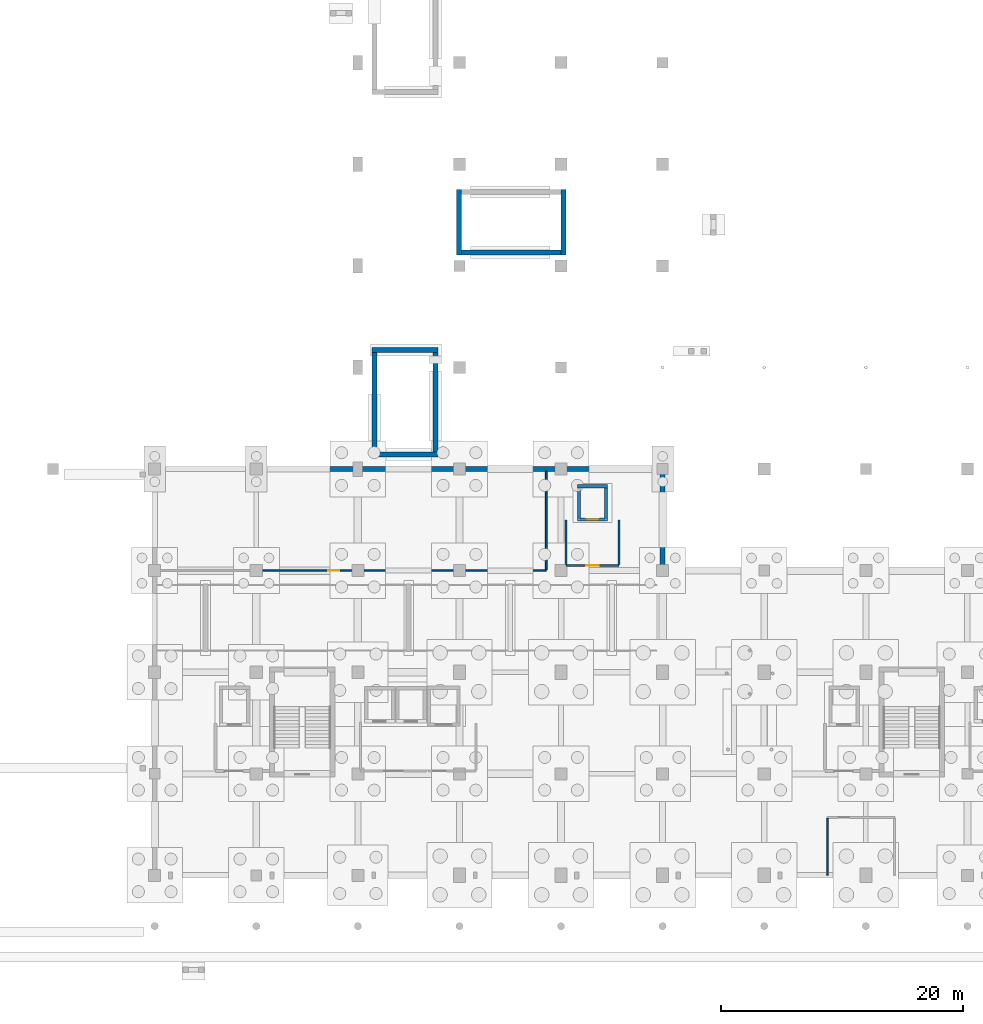
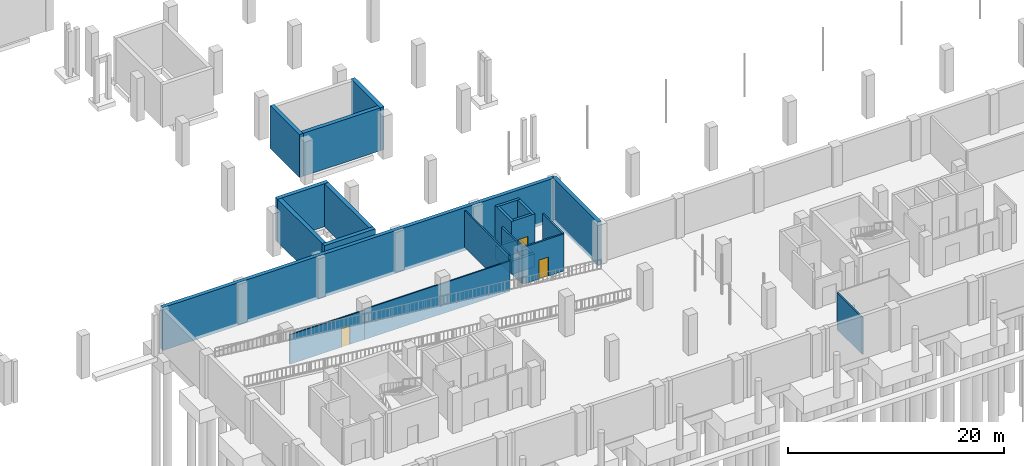
# One storey, part 30 of 39: 24 walls, 3 doors, 3 openings.
"""IFC4 building model written with IfcOpenShell, lengths in metres."""

from ifc_helpers import new_model, si_unit, derived_unit, direction, frame, frame_2d, origin, place, context, subcontext, project, spatial, rectangle, extrude, material, layer, layer_set, type_object, element, fill, save


model = new_model("IFC4")

# Units and contexts
model_context = context("Model", 3, precision=1e-05, world=origin(), true_north=direction((0.0, 1.0)))
body_context = subcontext(model_context, "Body", "Model", "MODEL_VIEW")
ifc_project = project(units=[si_unit("LENGTHUNIT", "METRE"), si_unit("AREAUNIT", "SQUARE_METRE"), si_unit("VOLUMEUNIT", "CUBIC_METRE"), si_unit("PLANEANGLEUNIT", "RADIAN"), si_unit("MASSUNIT", "GRAM", prefix="KILO"), derived_unit("THERMALTRANSMITTANCEUNIT", [(si_unit("POWERUNIT", "WATT"), 1), (si_unit("LENGTHUNIT", "METRE"), -2), (si_unit("THERMODYNAMICTEMPERATUREUNIT", "KELVIN"), -1)])], contexts=[model_context])

# Site, building, storey
site_placement = place(None, origin())
site = spatial("IfcSite", under=ifc_project, at=site_placement, CompositionType="ELEMENT")
building_placement = place(site_placement, origin())
building = spatial("IfcBuilding", under=site, at=building_placement, Name="Barrovel Congress Hotel", CompositionType="ELEMENT")
storey_placement = place(building_placement, frame((0.0, 0.0, -4.5)))
storey = spatial("IfcBuildingStorey", under=building, at=storey_placement, Name="B01", CompositionType="ELEMENT", Elevation=-4.5)

# Walls
ifc_material_1 = material(Name="Concrete C40", Category="concrete")
ifc_layer_1 = layer(ifc_material_1, 0.39990234375)
ifc_layer_set_1 = layer_set([ifc_layer_1], Name="Concrete C40")
wall_type_1 = type_object("IfcWallType", Name="EW-RET400", PredefinedType="STANDARD", material=ifc_layer_set_1)
wall_1_placement = place(storey_placement, frame((58.800048828125, 29.39990234375, -0.360107421875), z_axis=(0.0, 0.0, 1.0), x_axis=(0.0, 1.0, 0.0)))
element("IfcWall", 1, at=wall_1_placement, inside=storey, type_object=wall_type_1, Name="EW:B01:RET-06", PredefinedType="STANDARD", context=body_context, shape_type="SweptSolid", body=[
    extrude(rectangle(XDim=8.400146484375, YDim=0.39990234375, at=frame_2d((4.2001953125, 0.0))), origin(), (0.0, 0.0, 1.0), 4.860107421875),
])
wall_2_placement = place(storey_placement, frame((58.800048828125, 37.800048828125, -0.360107421875), z_axis=(0.0, 0.0, 1.0), x_axis=(-1.0, 0.0, 0.0)))
element("IfcWall", 2, at=wall_2_placement, inside=storey, type_object=wall_type_1, Name="EW:B01:RET-07", PredefinedType="STANDARD", context=body_context, shape_type="SweptSolid", body=[
    extrude(rectangle(XDim=42.0, YDim=0.39990234375, at=frame_2d((21.0, 0.0))), origin(), (0.0, 0.0, 1.0), 4.860107421875),
])

# Wall, opening, door
ifc_material_2 = material(Name="Gypsum Acoustic Stud", Category="gypsum")
ifc_layer_2 = layer(ifc_material_2, 0.179931640625)
ifc_layer_set_2 = layer_set([ifc_layer_2], Name="Gypsum Acoustic Stud")
wall_type_2 = type_object("IfcWallType", Name="PW-ACU-180", PredefinedType="PARTITIONING", material=ifc_layer_set_2)
wall_3_placement = place(storey_placement, frame((50.820068359375, 29.820068359375, 0.0), z_axis=(0.0, 0.0, 1.0), x_axis=(1.0, 0.0, 0.0)))
wall_3 = element("IfcWall", 3, at=wall_3_placement, inside=storey, type_object=wall_type_2, Name="RW:SP:B01:LL-CL1:S", PredefinedType="PARTITIONING", context=body_context, shape_type="SweptSolid", body=[
    extrude(rectangle(XDim=4.35986328125, YDim=0.179931640625, at=frame_2d((2.179931640625, 0.0))), origin(), (0.0, 0.0, 1.0), 4.175048828125),
])
opening_1_placement = place(wall_3_placement, frame((1.669921875, 0.0, 0.0)))
opening_1 = element("IfcOpeningElement", 4, at=opening_1_placement, cuts=wall_3, Name="Opening ID-ACC", PredefinedType="OPENING", context=body_context, shape_type="SweptSolid", body=[
    extrude(rectangle(XDim=1.02001953125, YDim=2.14990234375, at=frame_2d((0.510009765625, 1.074951171875))), frame((0.0, 0.10009765625, 0.0), z_axis=(0.0, -1.0, 0.0), x_axis=(1.0, 0.0, 0.0)), (0.0, 0.0, 1.0), 0.199951171875),
])
ifc_material_3 = material(Name="Solid Oak Acoustic Timber Door", Category="wood")
door_type_1 = type_object("IfcDoorType", Name="IDR-ID-ACC", OperationType="NOTDEFINED", PredefinedType="DOOR", material=ifc_material_3)
door_1_placement = place(opening_1_placement, origin())
door_1 = element("IfcDoor", 5, at=door_1_placement, inside=storey, type_object=door_type_1, Name="RD:SP:B01:LL-CL1", OperationType="SINGLE_SWING_RIGHT", OverallHeight=2.14990234375, OverallWidth=1.02001953125, PredefinedType="DOOR", context=body_context, shape_type="SweptSolid", body=[
    extrude(rectangle(XDim=1.02001953125, YDim=2.14990234375, at=frame_2d((0.510009765625, 1.074951171875))), frame((0.0, 0.02490234375, 0.0), z_axis=(0.0, -1.0, 0.0), x_axis=(1.0, 0.0, 0.0)), (0.0, 0.0, 1.0), 0.050048828125),
])
fill(opening_1, door_1)

# Walls
for number, where, z_axis, x_axis, name in (
    (6, (50.820068359375, 29.909912109375, 0.0), (0.0, 0.0, 1.0), (0.0, 1.0, 0.0), "RW:SP:B01:LL-CL1:W"),
    (7, (55.179931640625, 29.909912109375, 0.0), (0.0, 0.0, 1.0), (0.0, 1.0, 0.0), "RW:SP:B01:LL-CL1:E"),
):
    element("IfcWall", number, at=place(storey_placement, frame(where, z_axis=z_axis, x_axis=x_axis)), inside=storey, type_object=wall_type_2, Name=name, PredefinedType="PARTITIONING", context=body_context, shape_type="SweptSolid", body=[
        extrude(rectangle(XDim=3.670166015625, YDim=0.179931640625, at=frame_2d((1.8349609375, 0.0))), origin(), (0.0, 0.0, 1.0), 4.175048828125),
    ])
ifc_material_4 = material(Name="Gypsum Moisture Board", Category="gypsum")
ifc_layer_3 = layer(ifc_material_4, 0.139892578125)
ifc_layer_set_3 = layer_set([ifc_layer_3], Name="Gypsum Moisture Board")
wall_type_3 = type_object("IfcWallType", Name="PW-WET-140", PredefinedType="PARTITIONING", material=ifc_layer_set_3)
wall_4_placement = place(storey_placement, frame((33.60009765625, 29.419921875, 0.0), z_axis=(0.0, 0.0, 1.0), x_axis=(1.0, 0.0, 0.0)))
element("IfcWall", 8, at=wall_4_placement, inside=storey, type_object=wall_type_3, Name="RW:SP:B01:STAFF:S", PredefinedType="PARTITIONING", context=body_context, shape_type="SweptSolid", body=[
    extrude(rectangle(XDim=15.579833984375, YDim=0.139892578125, at=frame_2d((7.7900390625, 0.0))), origin(), (0.0, 0.0, 1.0), 3.429931640625),
])
wall_5_placement = place(storey_placement, frame((49.179931640625, 29.489990234375, 0.0), z_axis=(0.0, 0.0, 1.0), x_axis=(0.0, 1.0, 0.0)))
element("IfcWall", 9, at=wall_5_placement, inside=storey, type_object=wall_type_3, Name="RW:SP:B01:STAFF:E", PredefinedType="PARTITIONING", context=body_context, shape_type="SweptSolid", body=[
    extrude(rectangle(XDim=8.110107421875, YDim=0.139892578125, at=frame_2d((4.05517578125, 0.0))), origin(), (0.0, 0.0, 1.0), 4.175048828125),
])
wall_6_placement = place(storey_placement, frame((72.419921875, 4.219970703125, 0.0), z_axis=(0.0, 0.0, 1.0), x_axis=(0.0, 1.0, 0.0)))
element("IfcWall", 10, at=wall_6_placement, inside=storey, type_object=wall_type_3, Name="RW:SP:B01:WC-B01:W", PredefinedType="PARTITIONING", context=body_context, shape_type="SweptSolid", body=[
    extrude(rectangle(XDim=4.68994140625, YDim=0.139892578125, at=frame_2d((2.344970703125, 0.0))), origin(), (0.0, 0.0, 1.0), 4.175048828125),
])

# Wall, opening, door
wall_7_placement = place(storey_placement, frame((25.64990234375, 29.419921875, 0.0), z_axis=(0.0, 0.0, 1.0), x_axis=(1.0, 0.0, 0.0)))
wall_7 = element("IfcWall", 11, at=wall_7_placement, inside=storey, type_object=wall_type_3, Name="RW:SP:B01:STAFF:S:P02", PredefinedType="PARTITIONING", context=body_context, shape_type="SweptSolid", body=[
    extrude(rectangle(XDim=7.9501953125, YDim=0.139892578125, at=frame_2d((3.97509765625, 0.0))), origin(), (0.0, 0.0, 1.0), 3.330078125),
])
opening_2_placement = place(wall_7_placement, frame((5.5, 0.0, 0.0)))
opening_2 = element("IfcOpeningElement", 12, at=opening_2_placement, cuts=wall_7, Name="Opening ID-WC1", PredefinedType="OPENING", context=body_context, shape_type="SweptSolid", body=[
    extrude(rectangle(XDim=0.89990234375, YDim=2.1201171875, at=frame_2d((0.449951171875, 1.06005859375))), frame((0.0, 0.080078125, 0.0), z_axis=(0.0, -1.0, 0.0), x_axis=(1.0, 0.0, 0.0)), (0.0, 0.0, 1.0), 0.159912109375),
])
ifc_material_5 = material(Name="Lacquered Timber Moisture Door", Category="wood")
door_type_2 = type_object("IfcDoorType", Name="IDR-ID-WC1", OperationType="NOTDEFINED", PredefinedType="DOOR", material=ifc_material_5)
door_2_placement = place(opening_2_placement, origin())
door_2 = element("IfcDoor", 13, at=door_2_placement, inside=storey, type_object=door_type_2, Name="RD:SP:B01:STAFF", OperationType="SINGLE_SWING_RIGHT", OverallHeight=2.1201171875, OverallWidth=0.89990234375, PredefinedType="DOOR", context=body_context, shape_type="SweptSolid", body=[
    extrude(rectangle(XDim=0.89990234375, YDim=2.1201171875, at=frame_2d((0.449951171875, 1.06005859375))), frame((0.0, 0.02490234375, 0.0), z_axis=(0.0, -1.0, 0.0), x_axis=(1.0, 0.0, 0.0)), (0.0, 0.0, 1.0), 0.050048828125),
])
fill(opening_2, door_2)

# Walls
ifc_layer_4 = layer(ifc_material_1, 0.280029296875)
ifc_layer_set_4 = layer_set([ifc_layer_4], Name="Concrete C40")
wall_type_4 = type_object("IfcWallType", Name="SW-C40-280", PredefinedType="SHEAR", material=ifc_layer_set_4)
wall_8_placement = place(storey_placement, frame((51.739990234375, 33.6298828125, -1.5), z_axis=(0.0, 0.0, 1.0), x_axis=(1.0, 0.0, 0.0)))
element("IfcWall", 14, at=wall_8_placement, inside=storey, type_object=wall_type_4, Name="LSH:CL-1:PIT:S", PredefinedType="SHEAR", context=body_context, shape_type="SweptSolid", body=[
    extrude(rectangle(XDim=2.52001953125, YDim=0.280029296875, at=frame_2d((1.260009765625, 0.0))), origin(), (0.0, 0.0, 1.0), 1.5),
])
wall_9_placement = place(storey_placement, frame((54.1201171875, 33.489990234375, -1.5), z_axis=(0.0, 0.0, 1.0), x_axis=(0.0, 1.0, 0.0)))
element("IfcWall", 15, at=wall_9_placement, inside=storey, type_object=wall_type_4, Name="LSH:CL-1:PIT:E", PredefinedType="SHEAR", context=body_context, shape_type="SweptSolid", body=[
    extrude(rectangle(XDim=3.02001953125, YDim=0.280029296875, at=frame_2d((1.510009765625, 0.0))), origin(), (0.0, 0.0, 1.0), 1.5),
])
wall_10_placement = place(storey_placement, frame((54.260009765625, 36.3701171875, -1.5), z_axis=(0.0, 0.0, 1.0), x_axis=(-1.0, 0.0, 0.0)))
element("IfcWall", 16, at=wall_10_placement, inside=storey, type_object=wall_type_4, Name="LSH:CL-1:PIT:N", PredefinedType="SHEAR", context=body_context, shape_type="SweptSolid", body=[
    extrude(rectangle(XDim=2.52001953125, YDim=0.280029296875, at=frame_2d((1.260009765625, 0.0))), origin(), (0.0, 0.0, 1.0), 1.5),
])
wall_11_placement = place(storey_placement, frame((51.8798828125, 36.510009765625, -1.5), z_axis=(0.0, 0.0, 1.0), x_axis=(0.0, -1.0, 0.0)))
element("IfcWall", 17, at=wall_11_placement, inside=storey, type_object=wall_type_4, Name="LSH:CL-1:PIT:W", PredefinedType="SHEAR", context=body_context, shape_type="SweptSolid", body=[
    extrude(rectangle(XDim=3.02001953125, YDim=0.280029296875, at=frame_2d((1.510009765625, 0.0))), origin(), (0.0, 0.0, 1.0), 1.5),
])

# Wall, opening, door
wall_12_placement = place(storey_placement, frame((51.739990234375, 33.6298828125, 0.0), z_axis=(0.0, 0.0, 1.0), x_axis=(1.0, 0.0, 0.0)))
wall_12 = element("IfcWall", 18, at=wall_12_placement, inside=storey, type_object=wall_type_4, Name="LSH:CL-1:B01:S", PredefinedType="SHEAR", context=body_context, shape_type="SweptSolid", body=[
    extrude(rectangle(XDim=2.52001953125, YDim=0.280029296875, at=frame_2d((1.260009765625, 0.0))), origin(), (0.0, 0.0, 1.0), 4.5),
])
opening_3_placement = place(wall_12_placement, frame((0.735107421875, 0.0, 0.0)))
opening_3 = element("IfcOpeningElement", 19, at=opening_3_placement, cuts=wall_12, Name="Opening LD-PAX", PredefinedType="OPENING", context=body_context, shape_type="SweptSolid", body=[
    extrude(rectangle(XDim=1.050048828125, YDim=2.199951171875, at=frame_2d((0.52490234375, 1.10009765625))), frame((0.0, 0.14990234375, 0.0), z_axis=(0.0, -1.0, 0.0), x_axis=(1.0, 0.0, 0.0)), (0.0, 0.0, 1.0), 0.300048828125),
])
ifc_material_6 = material(Name="Brushed Stainless Steel", Category="steel")
door_type_3 = type_object("IfcDoorType", Name="IDR-LD-PAX", OperationType="NOTDEFINED", PredefinedType="DOOR", material=ifc_material_6)
door_3_placement = place(opening_3_placement, origin())
door_3 = element("IfcDoor", 20, at=door_3_placement, inside=storey, type_object=door_type_3, Name="Lift Landing Door LD-CL-1-B01", OperationType="SLIDING_TO_LEFT", OverallHeight=2.199951171875, OverallWidth=1.050048828125, PredefinedType="DOOR", context=body_context, shape_type="SweptSolid", body=[
    extrude(rectangle(XDim=1.050048828125, YDim=2.199951171875, at=frame_2d((0.52490234375, 1.10009765625))), frame((0.0, 0.02490234375, 0.0), z_axis=(0.0, -1.0, 0.0), x_axis=(1.0, 0.0, 0.0)), (0.0, 0.0, 1.0), 0.050048828125),
])
fill(opening_3, door_3)

# Walls
wall_13_placement = place(storey_placement, frame((54.1201171875, 33.489990234375, 0.0), z_axis=(0.0, 0.0, 1.0), x_axis=(0.0, 1.0, 0.0)))
element("IfcWall", 21, at=wall_13_placement, inside=storey, type_object=wall_type_4, Name="LSH:CL-1:B01:E", PredefinedType="SHEAR", context=body_context, shape_type="SweptSolid", body=[
    extrude(rectangle(XDim=3.02001953125, YDim=0.280029296875, at=frame_2d((1.510009765625, 0.0))), origin(), (0.0, 0.0, 1.0), 4.5),
])
wall_14_placement = place(storey_placement, frame((54.260009765625, 36.3701171875, 0.0), z_axis=(0.0, 0.0, 1.0), x_axis=(-1.0, 0.0, 0.0)))
element("IfcWall", 22, at=wall_14_placement, inside=storey, type_object=wall_type_4, Name="LSH:CL-1:B01:N", PredefinedType="SHEAR", context=body_context, shape_type="SweptSolid", body=[
    extrude(rectangle(XDim=2.52001953125, YDim=0.280029296875, at=frame_2d((1.260009765625, 0.0))), origin(), (0.0, 0.0, 1.0), 4.5),
])
wall_15_placement = place(storey_placement, frame((51.8798828125, 36.510009765625, 0.0), z_axis=(0.0, 0.0, 1.0), x_axis=(0.0, -1.0, 0.0)))
element("IfcWall", 23, at=wall_15_placement, inside=storey, type_object=wall_type_4, Name="LSH:CL-1:B01:W", PredefinedType="SHEAR", context=body_context, shape_type="SweptSolid", body=[
    extrude(rectangle(XDim=3.02001953125, YDim=0.280029296875, at=frame_2d((1.510009765625, 0.0))), origin(), (0.0, 0.0, 1.0), 4.5),
])
ifc_material_7 = material(Name="Concrete C50", Category="concrete")
ifc_layer_5 = layer(ifc_material_7, 0.419921875)
ifc_layer_set_5 = layer_set([ifc_layer_5], Name="Concrete C50")
wall_type_5 = type_object("IfcWallType", Name="SW-C50-420", PredefinedType="SHEAR", material=ifc_layer_set_5)
wall_16_placement = place(storey_placement, frame((41.739990234375, 55.68994140625, -0.360107421875), z_axis=(0.0, 0.0, 1.0), x_axis=(1.0, 0.0, 0.0)))
element("IfcWall", 24, at=wall_16_placement, inside=storey, type_object=wall_type_5, Name="SHW:XS-05:B01-STEM:S", PredefinedType="SHEAR", context=body_context, shape_type="SweptSolid", body=[
    extrude(rectangle(XDim=9.080078125, YDim=0.419921875, at=frame_2d((4.5400390625, 0.0))), origin(), (0.0, 0.0, 1.0), 4.860107421875),
])
for number, where, z_axis, x_axis, name in (
    (25, (50.610107421875, 55.47998046875, -0.360107421875), (0.0, 0.0, 1.0), (0.0, 1.0, 0.0), "SHW:XS-05:B01-STEM:E"),
    (26, (41.949951171875, 60.919921875, -0.360107421875), (0.0, 0.0, 1.0), (0.0, -1.0, 0.0), "SHW:XS-05:B01-STEM:W"),
    (27, (34.780029296875, 38.989990234375, -0.360107421875), (0.0, 0.0, 1.0), (1.0, 0.0, 0.0), "SHW:XS-08:B01-STEM:S"),
):
    element("IfcWall", number, at=place(storey_placement, frame(where, z_axis=z_axis, x_axis=x_axis)), inside=storey, type_object=wall_type_5, Name=name, PredefinedType="SHEAR", context=body_context, shape_type="SweptSolid", body=[
        extrude(rectangle(XDim=5.43994140625, YDim=0.419921875, at=frame_2d((2.719970703125, 0.0))), origin(), (0.0, 0.0, 1.0), 4.860107421875),
    ])
wall_17_placement = place(storey_placement, frame((40.010009765625, 38.780029296875, -0.360107421875), z_axis=(0.0, 0.0, 1.0), x_axis=(0.0, 1.0, 0.0)))
element("IfcWall", 28, at=wall_17_placement, inside=storey, type_object=wall_type_5, Name="SHW:XS-08:B01-STEM:E", PredefinedType="SHEAR", context=body_context, shape_type="SweptSolid", body=[
    extrude(rectangle(XDim=9.080078125, YDim=0.419921875, at=frame_2d((4.5400390625, 0.0))), origin(), (0.0, 0.0, 1.0), 4.860107421875),
])
wall_18_placement = place(storey_placement, frame((40.219970703125, 47.64990234375, -0.360107421875), z_axis=(0.0, 0.0, 1.0), x_axis=(-1.0, 0.0, 0.0)))
element("IfcWall", 29, at=wall_18_placement, inside=storey, type_object=wall_type_5, Name="SHW:XS-08:B01-STEM:N", PredefinedType="SHEAR", context=body_context, shape_type="SweptSolid", body=[
    extrude(rectangle(XDim=5.43994140625, YDim=0.419921875, at=frame_2d((2.719970703125, 0.0))), origin(), (0.0, 0.0, 1.0), 4.860107421875),
])
wall_19_placement = place(storey_placement, frame((34.989990234375, 47.860107421875, -0.360107421875), z_axis=(0.0, 0.0, 1.0), x_axis=(0.0, -1.0, 0.0)))
element("IfcWall", 30, at=wall_19_placement, inside=storey, type_object=wall_type_5, Name="SHW:XS-08:B01-STEM:W", PredefinedType="SHEAR", context=body_context, shape_type="SweptSolid", body=[
    extrude(rectangle(XDim=9.080078125, YDim=0.419921875, at=frame_2d((4.5400390625, 0.0))), origin(), (0.0, 0.0, 1.0), 4.860107421875),
])

save(model, "model.ifc")
